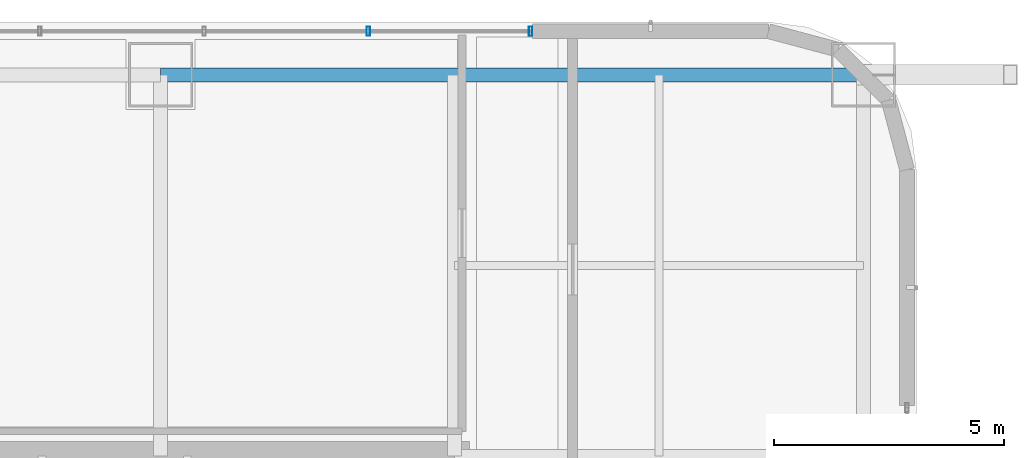
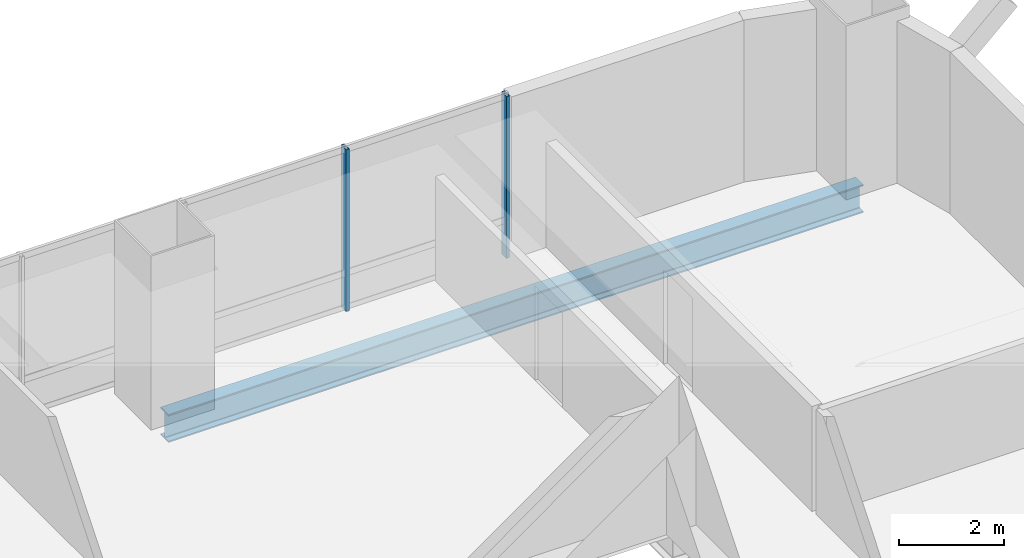
# One storey, part 27 of 46: 2 members, 1 beam, 1 element without a shape of its own.
"""IFC4 building model written with IfcOpenShell, lengths in metres."""

from ifc_helpers import new_model, si_unit, direction, frame, origin, origin_2d, place, context, subcontext, project, spatial, hollow_rectangle, i_section, extrude, material, material_profile, profile_set, type_object, element, aggregate, save


model = new_model("IFC4")

# Units and contexts
model_context = context("Model", 3, precision=1e-05, world=origin(), true_north=direction((0.0, 1.0)))
body_context = subcontext(model_context, "Body", "Model", "MODEL_VIEW")
ifc_project = project(units=[si_unit("LENGTHUNIT", "METRE"), si_unit("AREAUNIT", "SQUARE_METRE"), si_unit("VOLUMEUNIT", "CUBIC_METRE"), si_unit("PLANEANGLEUNIT", "RADIAN"), si_unit("MASSUNIT", "GRAM", prefix="KILO")], contexts=[model_context])

# Site, building, storey
site_placement = place(None, origin())
site = spatial("IfcSite", under=ifc_project, at=site_placement, CompositionType="ELEMENT")
building_placement = place(site_placement, origin())
building = spatial("IfcBuilding", under=site, at=building_placement, Name="Punatoya Terracotta Tower", CompositionType="ELEMENT")
storey_placement = place(building_placement, frame((0.0, 0.0, 200.550048828125)))
storey = spatial("IfcBuildingStorey", under=building, at=storey_placement, Name="L47", CompositionType="ELEMENT", Elevation=200.550048828125)

# Beam
ifc_material_1 = material(Name="Steel S355", Category="steel")
ifc_material_profile_1 = material_profile(ifc_material_1, i_section(OverallWidth=0.300048828125, OverallDepth=0.64990234375, WebThickness=0.01611328125, FlangeThickness=0.031005859375, FilletRadius=0.01806640625, at=origin_2d()))
ifc_profile_set_1 = profile_set([ifc_material_profile_1], Name="Steel S355")
beam_type = type_object("IfcBeamType", Name="BM-PRI-650", PredefinedType="BEAM", material=ifc_profile_set_1)
beam_placement = place(storey_placement, frame((3.800048828125, 17.5, -0.545166015625), z_axis=(1.0, 0.0, 0.0), x_axis=(0.0, 1.0, 0.0)))
element("IfcBeam", 1, at=beam_placement, inside=storey, type_object=beam_type, Name="BM-L47-RG-N3", PredefinedType="BEAM", context=body_context, shape_type="SweptSolid", body=[
    extrude(i_section(OverallWidth=0.300048828125, OverallDepth=0.64990234375, WebThickness=0.01611328125, FlangeThickness=0.031005859375, FilletRadius=0.01806640625, at=origin_2d()), origin(), (0.0, 0.0, 1.0), 15.300048828125),
])

# Curtain wall, members
ifc_material_2 = material(Name="Aluminium 6063-T6 + Double Low-E Glass", Category="aluminium")
curtain_wall_type = type_object("IfcCurtainWallType", Name="CW-M2", PredefinedType="NOTDEFINED", material=ifc_material_2)
curtain_wall_placement = place(storey_placement, origin())
curtain_wall = element("IfcCurtainWall", 2, at=curtain_wall_placement, inside=storey, type_object=curtain_wall_type, Name="L47 Curtain Wall CW-L47-N09-1", PredefinedType="NOTDEFINED")
ifc_material_3 = material(Name="Aluminium 6063-T6", Category="aluminium")
ifc_material_profile_2 = material_profile(ifc_material_3, hollow_rectangle(XDim=0.072021484375, YDim=0.195068359375, WallThickness=0.00439453125, at=origin_2d()))
ifc_profile_set_2 = profile_set([ifc_material_profile_2], Name="Aluminium 6063-T6")
member_type = type_object("IfcMemberType", Name="CW-MUL-M2", PredefinedType="MULLION", material=ifc_profile_set_2)
member_1_placement = place(storey_placement, frame((11.85498046875, 18.449951171875, 0.0), z_axis=(0.0, 0.0, 1.0), x_axis=(1.0, 0.0, 0.0)))
member_1 = element("IfcMember", 3, at=member_1_placement, type_object=member_type, Name="CW-L47-N09-1 Mullion 00", PredefinedType="MULLION", context=body_context, shape_type="SweptSolid", body=[
    extrude(hollow_rectangle(XDim=0.072021484375, YDim=0.195068359375, WallThickness=0.00439453125, at=origin_2d()), origin(), (0.0, 0.0, 1.0), 3.77001953125),
])
member_2_placement = place(storey_placement, frame((8.324951171875, 18.449951171875, 0.0), z_axis=(0.0, 0.0, 1.0), x_axis=(1.0, 0.0, 0.0)))
member_2 = element("IfcMember", 4, at=member_2_placement, type_object=member_type, Name="CW-L47-N09-1 Mullion 01", PredefinedType="MULLION", context=body_context, shape_type="SweptSolid", body=[
    extrude(hollow_rectangle(XDim=0.072021484375, YDim=0.195068359375, WallThickness=0.00439453125, at=origin_2d()), origin(), (0.0, 0.0, 1.0), 3.77001953125),
])
aggregate(curtain_wall, [member_1, member_2])

save(model, "model.ifc")
